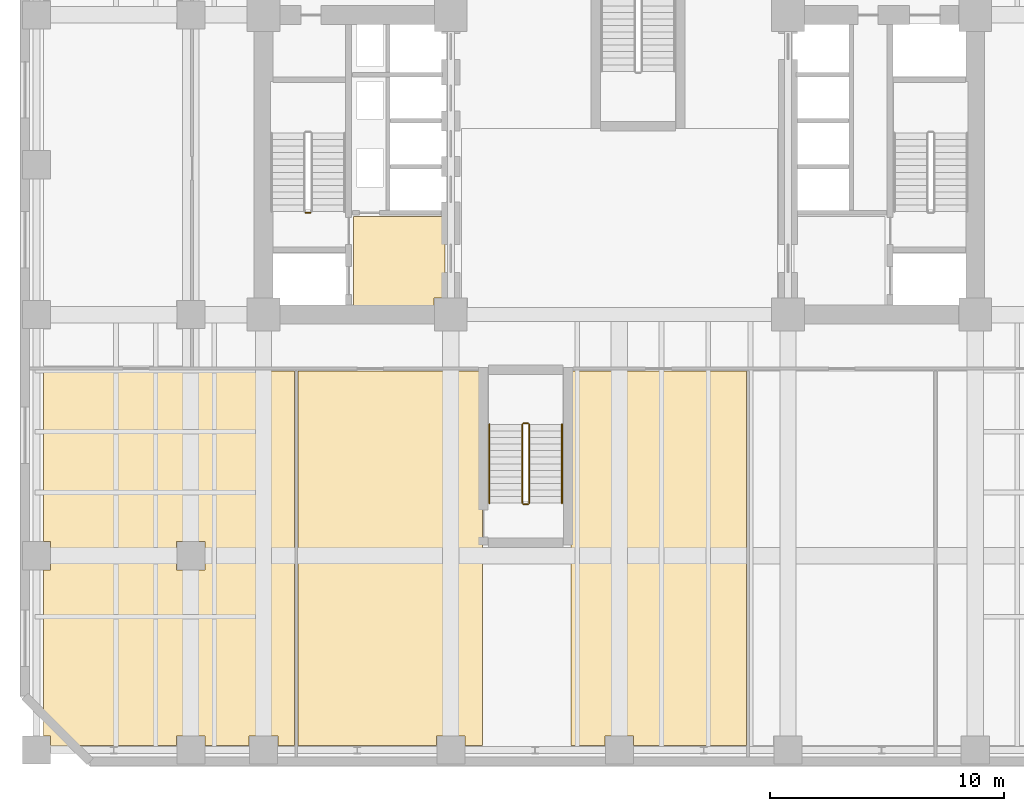
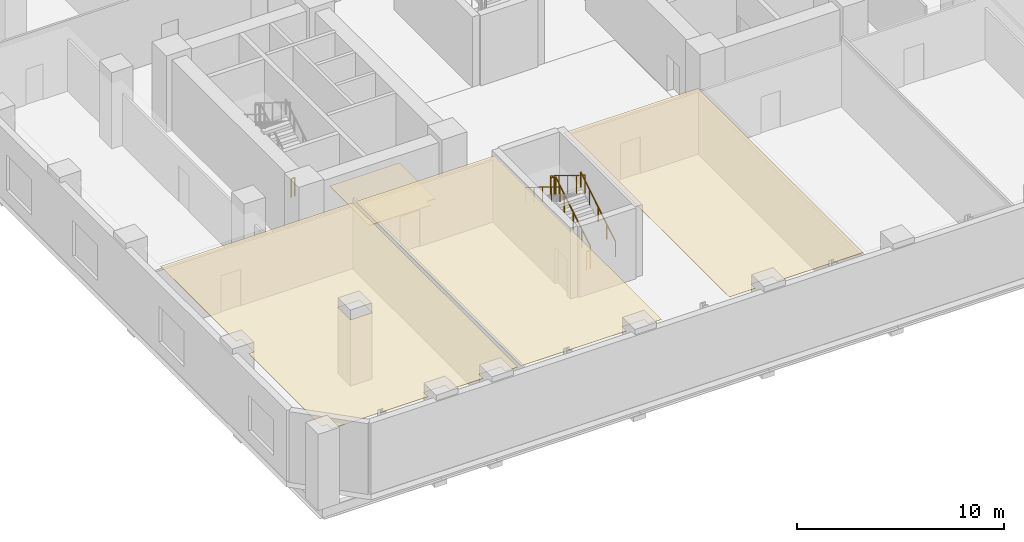
# One storey, part 10 of 15: 7 railings, 4 coverings.
"""IFC4 building model written with IfcOpenShell, lengths in metres."""

from ifc_helpers import new_model, si_unit, direction, frame, origin, origin_2d, place, context, subcontext, project, spatial, polyline, circle, outline, extrude, material, layer, layer_set, type_object, element, save


model = new_model("IFC4")

# Units and contexts
model_context = context("Model", 3, precision=1e-05, world=origin(), true_north=direction((0.0, 1.0)))
body_context = subcontext(model_context, "Body", "Model", "MODEL_VIEW")
ifc_project = project(units=[si_unit("LENGTHUNIT", "METRE"), si_unit("AREAUNIT", "SQUARE_METRE"), si_unit("VOLUMEUNIT", "CUBIC_METRE"), si_unit("PLANEANGLEUNIT", "RADIAN"), si_unit("MASSUNIT", "GRAM", prefix="KILO")], contexts=[model_context])

# Site, building, storey
site_placement = place(None, origin())
site = spatial("IfcSite", under=ifc_project, at=site_placement, CompositionType="ELEMENT")
building_placement = place(site_placement, origin())
building = spatial("IfcBuilding", under=site, at=building_placement, Name="Kranthara Brick Stack", CompositionType="ELEMENT")
storey_placement = place(building_placement, frame((0.0, 0.0, 9.89990234375)))
storey = spatial("IfcBuildingStorey", under=building, at=storey_placement, Name="L02", CompositionType="ELEMENT", Elevation=9.89990234375)

# Coverings
ifc_material_1 = material(Name="Perforated mineral-fibre acoustic ceiling tile", Category="other")
ifc_layer_1 = layer(ifc_material_1, 0.02490234375)
ifc_layer_set_1 = layer_set([ifc_layer_1], Name="Perforated mineral-fibre acoustic ceiling tile")
covering_type_1 = type_object("IfcCoveringType", Name="COV-CEIL-ACOUSTIC", PredefinedType="CEILING", material=ifc_layer_set_1)
covering_1_placement = place(storey_placement, frame((0.0, 0.0, 3.91015625)))
element("IfcCovering", 1, at=covering_1_placement, inside=storey, type_object=covering_type_1, Name="L02 Co-Working Studio West Acoustic Ceiling", PredefinedType="CEILING", context=body_context, shape_type="SweptSolid", body=[
    extrude(outline(polyline([(13.409912109375, 2.81005859375), (12.18994140625, 2.81005859375), (12.18994140625, 2.39990234375), (10.31005859375, 2.39990234375), (10.31005859375, 2.81005859375), (9.090087890625, 2.81005859375), (9.090087890625, 2.39990234375), (3.7099609375, 2.39990234375), (3.7099609375, 2.81005859375), (3.39990234375, 2.81005859375), (3.39990234375, 9.889892578125), (3.7099609375, 9.889892578125), (3.7099609375, 11.110107421875), (3.39990234375, 11.110107421875), (3.39990234375, 18.39990234375), (14.1201171875, 18.39990234375), (14.1201171875, 2.39990234375), (13.409912109375, 2.39990234375), (13.409912109375, 2.81005859375)]), holes=[polyline([(10.31005859375, 11.110107421875), (9.090087890625, 11.110107421875), (9.090087890625, 9.889892578125), (10.31005859375, 9.889892578125), (10.31005859375, 11.110107421875)])]), origin(), (0.0, 0.0, 1.0), 0.02490234375),
])
covering_2_placement = place(storey_placement, frame((0.0, 0.0, 3.91015625)))
element("IfcCovering", 2, at=covering_2_placement, inside=storey, type_object=covering_type_1, Name="L02 Meeting Room Alpha Acoustic Ceiling", PredefinedType="CEILING", context=body_context, shape_type="SweptSolid", body=[
    extrude(outline(polyline([(14.280029296875, 2.39990234375), (14.280029296875, 18.39990234375), (22.14990234375, 18.39990234375), (22.14990234375, 2.39990234375), (21.409912109375, 2.39990234375), (21.409912109375, 2.81005859375), (20.18994140625, 2.81005859375), (20.18994140625, 2.39990234375), (14.280029296875, 2.39990234375)])), origin(), (0.0, 0.0, 1.0), 0.02490234375),
])
covering_3_placement = place(storey_placement, frame((0.0, 0.0, 3.91015625)))
element("IfcCovering", 3, at=covering_3_placement, inside=storey, type_object=covering_type_1, Name="L02 Meeting Room Beta Acoustic Ceiling", PredefinedType="CEILING", context=body_context, shape_type="SweptSolid", body=[
    extrude(outline(polyline([(25.929931640625, 2.39990234375), (25.929931640625, 18.39990234375), (33.419921875, 18.39990234375), (33.419921875, 2.39990234375), (28.610107421875, 2.39990234375), (28.610107421875, 2.81005859375), (27.389892578125, 2.81005859375), (27.389892578125, 2.39990234375), (25.929931640625, 2.39990234375)])), origin(), (0.0, 0.0, 1.0), 0.02490234375),
])
ifc_material_2 = material(Name="Honed terrazzo and porcelain floor finish", Category="stone")
ifc_layer_2 = layer(ifc_material_2, 0.030029296875)
ifc_layer_set_2 = layer_set([ifc_layer_2], Name="Honed terrazzo and porcelain floor finish")
covering_type_2 = type_object("IfcCoveringType", Name="COV-FLOR-STONE", PredefinedType="FLOORING", material=ifc_layer_set_2)
covering_4_placement = place(storey_placement, origin())
element("IfcCovering", 4, at=covering_4_placement, inside=storey, type_object=covering_type_2, Name="L02 Lift Lobby Stone Flooring", PredefinedType="FLOORING", context=body_context, shape_type="SweptSolid", body=[
    extrude(outline(polyline([(16.64990234375, 21.14990234375), (16.64990234375, 25.0), (20.550048828125, 25.0), (20.550048828125, 21.510009765625), (20.090087890625, 21.510009765625), (20.090087890625, 21.14990234375), (16.64990234375, 21.14990234375)])), origin(), (0.0, 0.0, 1.0), 0.030029296875),
])

# Railings
ifc_material_3 = material(Name="Painted galvanized steel stair guardrail", Category="steel")
railing_type_1 = type_object("IfcRailingType", Name="RL-STAIR-GUARD-1100", PredefinedType="GUARDRAIL", material=ifc_material_3)
railing_1_placement = place(storey_placement, frame((14.800048828125, 25.14990234375, 0.0)))
element("IfcRailing", 5, at=railing_1_placement, inside=storey, type_object=railing_type_1, Name="L02 ST01 stair guard 4", PredefinedType="GUARDRAIL", context=body_context, shape_type="SweptSolid", body=[
    extrude(circle(Radius=0.02392578125, at=origin_2d()), frame((0.0, 0.0, 1.076171875), z_axis=(-1.0, 0.0, 0.0), x_axis=(0.0, -1.0, 0.0)), (0.0, 0.0, 1.0), 0.199951171875),
    extrude(circle(Radius=0.02099609375, at=origin_2d()), origin(), (0.0, 0.0, 1.0), 1.052001953125),
    extrude(circle(Radius=0.02099609375, at=origin_2d()), frame((-0.199951171875, 0.0, 0.0)), (0.0, 0.0, 1.0), 1.052001953125),
])
railing_2_placement = place(storey_placement, frame((24.14990234375, 12.75, 0.173095703125)))
element("IfcRailing", 6, at=railing_2_placement, inside=storey, type_object=railing_type_1, Name="L02 ST03 stair guard 1", PredefinedType="GUARDRAIL", context=body_context, shape_type="SweptSolid", body=[
    extrude(circle(Radius=0.02392578125, at=origin_2d()), frame((0.0, 0.0, 1.076171875), z_axis=(0.0, 0.850623216509, 0.525775754039), x_axis=(-1.0, 0.0, 0.0)), (0.0, 0.0, 1.0), 3.9501953125),
    extrude(circle(Radius=0.02099609375, at=origin_2d()), origin(), (0.0, 0.0, 1.0), 1.052001953125),
    extrude(circle(Radius=0.02099609375, at=origin_2d()), frame((0.0, 0.840087890625, 0.519287109375)), (0.0, 0.0, 1.0), 1.052001953125),
    extrude(circle(Radius=0.02099609375, at=origin_2d()), frame((0.0, 1.68017578125, 1.03857421875)), (0.0, 0.0, 1.0), 1.052001953125),
    extrude(circle(Radius=0.02099609375, at=origin_2d()), frame((0.0, 2.52001953125, 1.5576171875)), (0.0, 0.0, 1.0), 1.052001953125),
    extrude(circle(Radius=0.02099609375, at=origin_2d()), frame((0.0, 3.360107421875, 2.076904296875)), (0.0, 0.0, 1.0), 1.052001953125),
])
railing_3_placement = place(storey_placement, frame((24.10009765625, 16.159912109375, 2.25)))
element("IfcRailing", 7, at=railing_3_placement, inside=storey, type_object=railing_type_1, Name="L02 ST03 stair guard 2", PredefinedType="GUARDRAIL", context=body_context, shape_type="SweptSolid", body=[
    extrude(circle(Radius=0.02392578125, at=origin_2d()), frame((0.0, 0.0, 1.076171875), z_axis=(-1.0, 0.0, 0.0), x_axis=(0.0, -1.0, 0.0)), (0.0, 0.0, 1.0), 0.2001953125),
    extrude(circle(Radius=0.02099609375, at=origin_2d()), origin(), (0.0, 0.0, 1.0), 1.052001953125),
    extrude(circle(Radius=0.02099609375, at=origin_2d()), frame((-0.2001953125, 0.0, 0.0)), (0.0, 0.0, 1.0), 1.052001953125),
])
railing_4_placement = place(storey_placement, frame((23.85009765625, 16.110107421875, 2.423095703125)))
element("IfcRailing", 8, at=railing_4_placement, inside=storey, type_object=railing_type_1, Name="L02 ST03 stair guard 3", PredefinedType="GUARDRAIL", context=body_context, shape_type="SweptSolid", body=[
    extrude(circle(Radius=0.02392578125, at=origin_2d()), frame((0.0, 0.0, 1.076171875), z_axis=(0.0, -0.850623216509, 0.525775754039), x_axis=(1.0, 0.0, 0.0)), (0.0, 0.0, 1.0), 3.9501953125),
    extrude(circle(Radius=0.02099609375, at=origin_2d()), origin(), (0.0, 0.0, 1.0), 1.052001953125),
    extrude(circle(Radius=0.02099609375, at=origin_2d()), frame((0.0, -0.840087890625, 0.519287109375)), (0.0, 0.0, 1.0), 1.052001953125),
    extrude(circle(Radius=0.02099609375, at=origin_2d()), frame((0.0, -1.68017578125, 1.03857421875)), (0.0, 0.0, 1.0), 1.052001953125),
    extrude(circle(Radius=0.02099609375, at=origin_2d()), frame((0.0, -2.52001953125, 1.5576171875)), (0.0, 0.0, 1.0), 1.052001953125),
    extrude(circle(Radius=0.02099609375, at=origin_2d()), frame((0.0, -3.360107421875, 2.076904296875)), (0.0, 0.0, 1.0), 1.052001953125),
])
railing_5_placement = place(storey_placement, frame((24.10009765625, 12.699951171875, 0.0)))
element("IfcRailing", 9, at=railing_5_placement, inside=storey, type_object=railing_type_1, Name="L02 ST03 stair guard 4", PredefinedType="GUARDRAIL", context=body_context, shape_type="SweptSolid", body=[
    extrude(circle(Radius=0.02392578125, at=origin_2d()), frame((0.0, 0.0, 1.076171875), z_axis=(-1.0, 0.0, 0.0), x_axis=(0.0, -1.0, 0.0)), (0.0, 0.0, 1.0), 0.2001953125),
    extrude(circle(Radius=0.02099609375, at=origin_2d()), origin(), (0.0, 0.0, 1.0), 1.052001953125),
    extrude(circle(Radius=0.02099609375, at=origin_2d()), frame((-0.2001953125, 0.0, 0.0)), (0.0, 0.0, 1.0), 1.052001953125),
])
ifc_material_4 = material(Name="Brushed stainless steel tubular handrail", Category="steel")
railing_type_2 = type_object("IfcRailingType", Name="RL-STAIR-HAND-900", PredefinedType="HANDRAIL", material=ifc_material_4)
railing_6_placement = place(storey_placement, frame((25.550048828125, 12.75, 0.173095703125)))
element("IfcRailing", 10, at=railing_6_placement, inside=storey, type_object=railing_type_2, Name="L02 ST03 stair handrail 1", PredefinedType="HANDRAIL", context=body_context, shape_type="SweptSolid", body=[
    extrude(circle(Radius=0.02392578125, at=origin_2d()), frame((0.0, 0.0, 0.8759765625), z_axis=(0.0, 0.850623216509, 0.525775754039), x_axis=(-1.0, 0.0, 0.0)), (0.0, 0.0, 1.0), 3.9501953125),
    extrude(circle(Radius=0.02099609375, at=origin_2d()), origin(), (0.0, 0.0, 1.0), 0.851806640625),
    extrude(circle(Radius=0.02099609375, at=origin_2d()), frame((0.0, 0.840087890625, 0.519287109375)), (0.0, 0.0, 1.0), 0.851806640625),
    extrude(circle(Radius=0.02099609375, at=origin_2d()), frame((0.0, 1.68017578125, 1.03857421875)), (0.0, 0.0, 1.0), 0.851806640625),
    extrude(circle(Radius=0.02099609375, at=origin_2d()), frame((0.0, 2.52001953125, 1.5576171875)), (0.0, 0.0, 1.0), 0.851806640625),
    extrude(circle(Radius=0.02099609375, at=origin_2d()), frame((0.0, 3.360107421875, 2.076904296875)), (0.0, 0.0, 1.0), 0.851806640625),
])
railing_7_placement = place(storey_placement, frame((22.449951171875, 16.110107421875, 2.423095703125)))
element("IfcRailing", 11, at=railing_7_placement, inside=storey, type_object=railing_type_2, Name="L02 ST03 stair handrail 2", PredefinedType="HANDRAIL", context=body_context, shape_type="SweptSolid", body=[
    extrude(circle(Radius=0.02392578125, at=origin_2d()), frame((0.0, 0.0, 0.8759765625), z_axis=(0.0, -0.850623216509, 0.525775754039), x_axis=(1.0, 0.0, 0.0)), (0.0, 0.0, 1.0), 3.9501953125),
    extrude(circle(Radius=0.02099609375, at=origin_2d()), origin(), (0.0, 0.0, 1.0), 0.851806640625),
    extrude(circle(Radius=0.02099609375, at=origin_2d()), frame((0.0, -0.840087890625, 0.519287109375)), (0.0, 0.0, 1.0), 0.851806640625),
    extrude(circle(Radius=0.02099609375, at=origin_2d()), frame((0.0, -1.68017578125, 1.03857421875)), (0.0, 0.0, 1.0), 0.851806640625),
    extrude(circle(Radius=0.02099609375, at=origin_2d()), frame((0.0, -2.52001953125, 1.5576171875)), (0.0, 0.0, 1.0), 0.851806640625),
    extrude(circle(Radius=0.02099609375, at=origin_2d()), frame((0.0, -3.360107421875, 2.076904296875)), (0.0, 0.0, 1.0), 0.851806640625),
])

save(model, "model.ifc")
